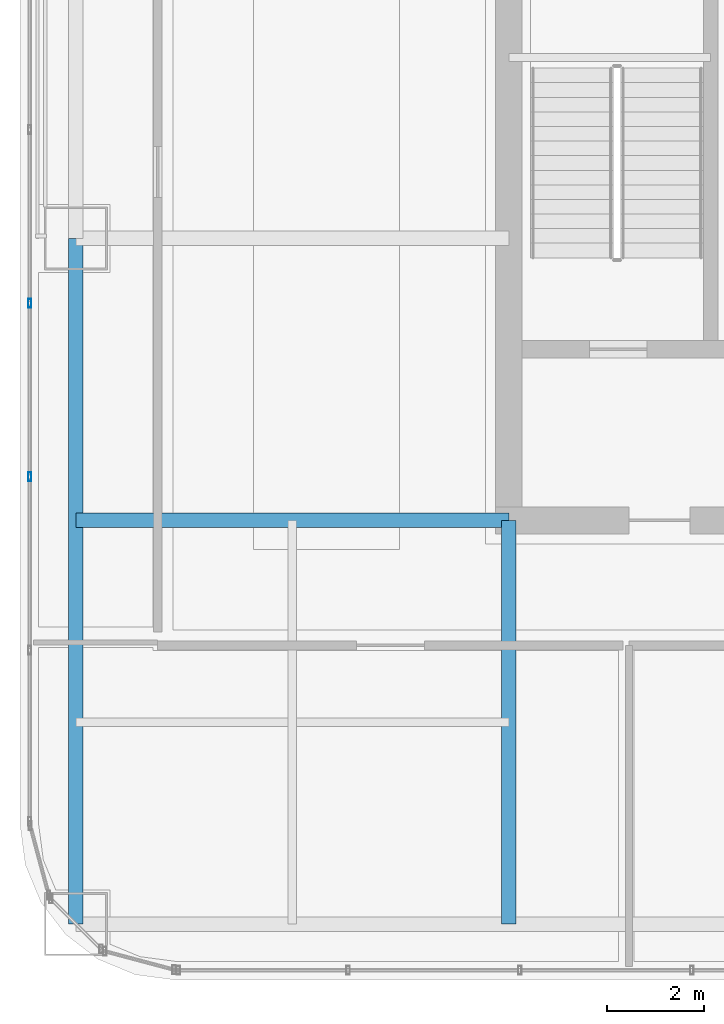
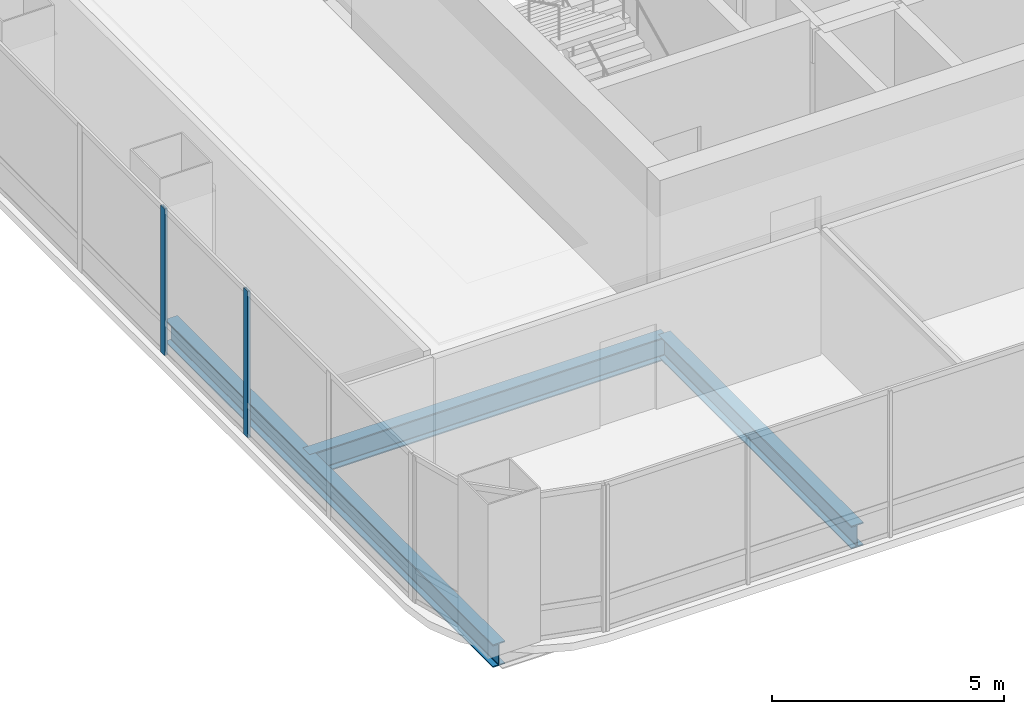
# One storey, part 4 of 42: 3 beams, 2 members, 1 element without a shape of its own.
"""IFC4 building model written with IfcOpenShell, lengths in metres."""

from ifc_helpers import new_model, si_unit, direction, frame, origin, origin_2d, place, context, subcontext, project, spatial, hollow_rectangle, i_section, extrude, material, material_profile, profile_set, type_object, element, aggregate, save


model = new_model("IFC4")

# Units and contexts
model_context = context("Model", 3, precision=1e-05, world=origin(), true_north=direction((0.0, 1.0)))
body_context = subcontext(model_context, "Body", "Model", "MODEL_VIEW")
ifc_project = project(units=[si_unit("LENGTHUNIT", "METRE"), si_unit("AREAUNIT", "SQUARE_METRE"), si_unit("VOLUMEUNIT", "CUBIC_METRE"), si_unit("PLANEANGLEUNIT", "RADIAN"), si_unit("MASSUNIT", "GRAM", prefix="KILO")], contexts=[model_context])

# Site, building, storey
site_placement = place(None, origin())
site = spatial("IfcSite", under=ifc_project, at=site_placement, CompositionType="ELEMENT")
building_placement = place(site_placement, origin())
building = spatial("IfcBuilding", under=site, at=building_placement, Name="Punatoya Terracotta Tower", CompositionType="ELEMENT")
storey_placement = place(building_placement, frame((0.0, 0.0, 259.5)))
storey = spatial("IfcBuildingStorey", under=building, at=storey_placement, Name="L61", CompositionType="ELEMENT", Elevation=259.5)

# Beams
ifc_material_1 = material(Name="Steel S355", Category="steel")
ifc_material_profile_1 = material_profile(ifc_material_1, i_section(OverallWidth=0.300048828125, OverallDepth=0.60009765625, WebThickness=0.015380859375, FlangeThickness=0.030029296875, FilletRadius=0.01806640625, at=origin_2d()))
ifc_profile_set_1 = profile_set([ifc_material_profile_1], Name="Steel S355")
beam_type = type_object("IfcBeamType", Name="BM-PRI-600", PredefinedType="BEAM", material=ifc_profile_set_1)
beam_1_placement = place(storey_placement, frame((-19.10009765625, -17.5, -0.5), z_axis=(0.0, 1.0, 0.0), x_axis=(-1.0, 0.0, 0.0)))
element("IfcBeam", 1, at=beam_1_placement, inside=storey, type_object=beam_type, Name="BM-L61-RG-W1", PredefinedType="BEAM", context=body_context, shape_type="SweptSolid", body=[
    extrude(i_section(OverallWidth=0.300048828125, OverallDepth=0.60009765625, WebThickness=0.015380859375, FlangeThickness=0.030029296875, FilletRadius=0.01806640625, at=origin_2d()), origin(), (0.0, 0.0, 1.0), 14.10009765625),
])
beam_2_placement = place(storey_placement, frame((-19.10009765625, -9.199951171875, -0.5), z_axis=(1.0, 0.0, 0.0), x_axis=(0.0, 1.0, 0.0)))
element("IfcBeam", 2, at=beam_2_placement, inside=storey, type_object=beam_type, Name="BM-L61-PR-WS", PredefinedType="BEAM", context=body_context, shape_type="SweptSolid", body=[
    extrude(i_section(OverallWidth=0.300048828125, OverallDepth=0.60009765625, WebThickness=0.015380859375, FlangeThickness=0.030029296875, FilletRadius=0.01806640625, at=origin_2d()), origin(), (0.0, 0.0, 1.0), 8.900146484375),
])
beam_3_placement = place(storey_placement, frame((-10.199951171875, -17.5, -0.5), z_axis=(0.0, 1.0, 0.0), x_axis=(-1.0, 0.0, 0.0)))
element("IfcBeam", 3, at=beam_3_placement, inside=storey, type_object=beam_type, Name="BM-L61-PR-S1", PredefinedType="BEAM", context=body_context, shape_type="SweptSolid", body=[
    extrude(i_section(OverallWidth=0.300048828125, OverallDepth=0.60009765625, WebThickness=0.015380859375, FlangeThickness=0.030029296875, FilletRadius=0.01806640625, at=origin_2d()), origin(), (0.0, 0.0, 1.0), 8.300048828125),
])

# Curtain wall, members
ifc_material_2 = material(Name="Aluminium 6063-T6 + Double Low-E Glass", Category="aluminium")
curtain_wall_type = type_object("IfcCurtainWallType", Name="CW-M3", PredefinedType="NOTDEFINED", material=ifc_material_2)
curtain_wall_placement = place(storey_placement, origin())
curtain_wall = element("IfcCurtainWall", 4, at=curtain_wall_placement, inside=storey, type_object=curtain_wall_type, Name="L61 Curtain Wall CW-L61-W13-1", PredefinedType="NOTDEFINED")
ifc_material_3 = material(Name="Aluminium 6063-T6", Category="aluminium")
ifc_material_profile_2 = material_profile(ifc_material_3, hollow_rectangle(XDim=0.070068359375, YDim=0.179931640625, WallThickness=0.00390625, at=origin_2d()))
ifc_profile_set_2 = profile_set([ifc_material_profile_2], Name="Aluminium 6063-T6")
member_type = type_object("IfcMemberType", Name="CW-MUL-M3", PredefinedType="MULLION", material=ifc_profile_set_2)
member_1_placement = place(storey_placement, frame((-20.050048828125, -4.73486328125, 0.0), z_axis=(0.0, 0.0, 1.0), x_axis=(1.0, 0.0, 0.0)))
member_1 = element("IfcMember", 5, at=member_1_placement, type_object=member_type, Name="CW-L61-W13-1 Mullion 07", PredefinedType="MULLION", context=body_context, shape_type="SweptSolid", body=[
    extrude(hollow_rectangle(XDim=0.070068359375, YDim=0.179931640625, WallThickness=0.00390625, at=origin_2d()), origin(), (0.0, 0.0, 1.0), 3.85009765625),
])
member_2_placement = place(storey_placement, frame((-20.050048828125, -8.302001953125, 0.0), z_axis=(0.0, 0.0, 1.0), x_axis=(1.0, 0.0, 0.0)))
member_2 = element("IfcMember", 6, at=member_2_placement, type_object=member_type, Name="CW-L61-W13-1 Mullion 08", PredefinedType="MULLION", context=body_context, shape_type="SweptSolid", body=[
    extrude(hollow_rectangle(XDim=0.070068359375, YDim=0.179931640625, WallThickness=0.00390625, at=origin_2d()), origin(), (0.0, 0.0, 1.0), 3.85009765625),
])
aggregate(curtain_wall, [member_1, member_2])

save(model, "model.ifc")
